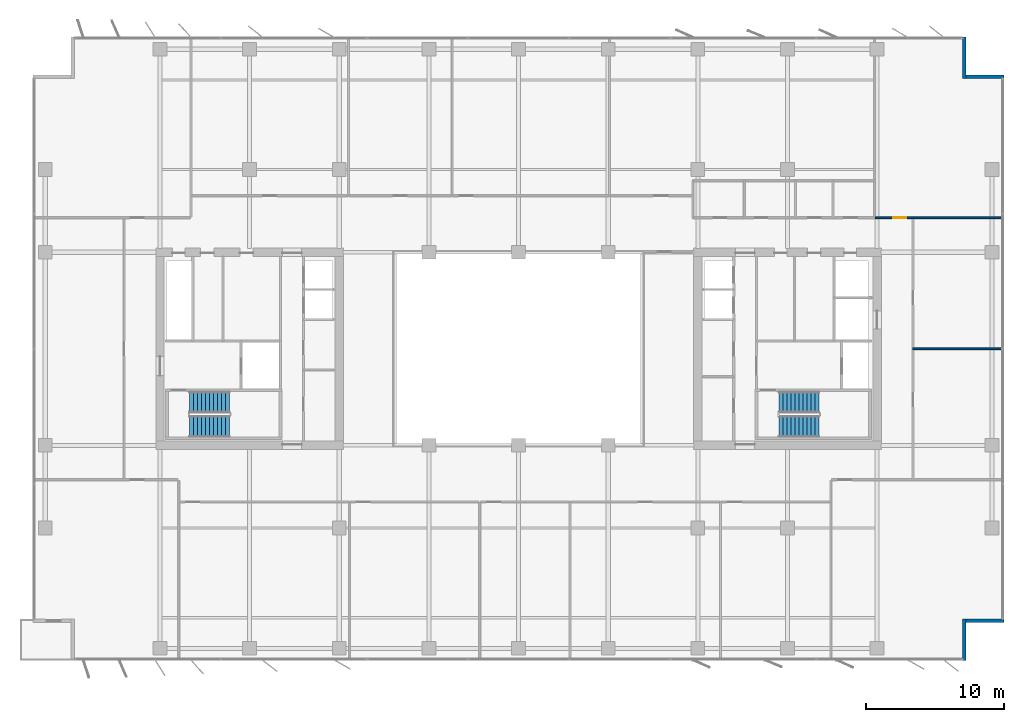
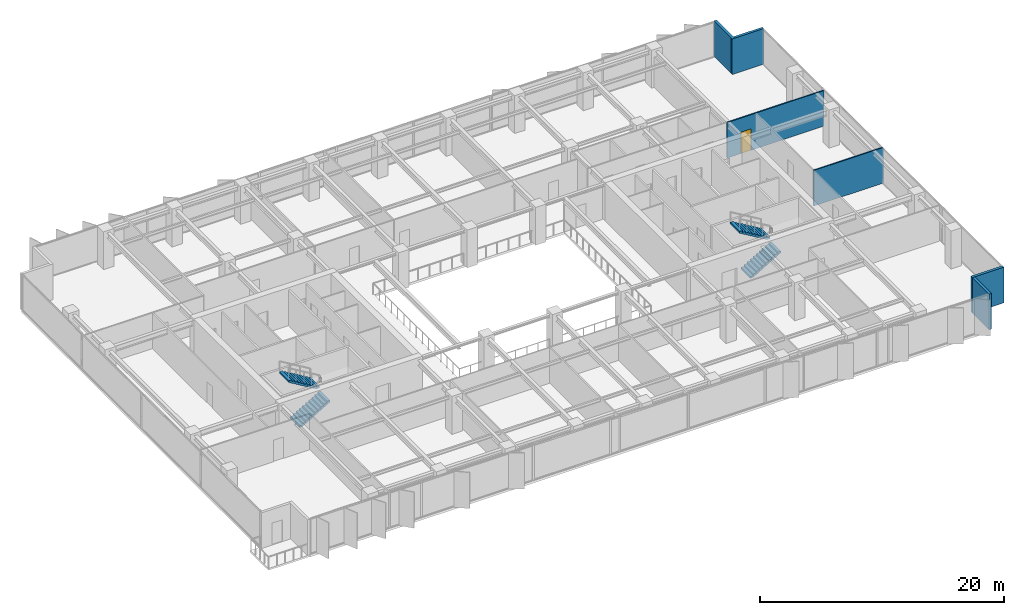
# One storey, part 18 of 22: 6 walls, 4 stair flights, 1 door, 1 opening, 2 elements without a shape of their own.
"""IFC4 building model written with IfcOpenShell, lengths in metres."""

from ifc_helpers import new_model, si_unit, direction, frame, frame_2d, origin, place, context, subcontext, project, spatial, polyline, rectangle, outline, extrude, material, layer, layer_set, type_object, element, fill, aggregate, save


model = new_model("IFC4")

# Units and contexts
model_context = context("Model", 3, precision=1e-05, world=origin(), true_north=direction((0.0, 1.0)))
body_context = subcontext(model_context, "Body", "Model", "MODEL_VIEW")
ifc_project = project(units=[si_unit("LENGTHUNIT", "METRE"), si_unit("AREAUNIT", "SQUARE_METRE"), si_unit("VOLUMEUNIT", "CUBIC_METRE"), si_unit("PLANEANGLEUNIT", "RADIAN"), si_unit("MASSUNIT", "GRAM", prefix="KILO")], contexts=[model_context])

# Site, building, storey
site_placement = place(None, origin())
site = spatial("IfcSite", under=ifc_project, at=site_placement, CompositionType="ELEMENT")
building_placement = place(site_placement, origin())
building = spatial("IfcBuilding", under=site, at=building_placement, Name="Putna Gate Headquarters", CompositionType="ELEMENT")
storey_placement = place(building_placement, frame((0.0, 0.0, 170.800048828125)))
storey = spatial("IfcBuildingStorey", under=building, at=storey_placement, Name="L42", CompositionType="ELEMENT", Elevation=170.800048828125)

# Walls
ifc_material_1 = material(Name="Precast concrete C40/50", Category="concrete")
ifc_layer_1 = layer(ifc_material_1, 0.239990234375)
ifc_layer_set_1 = layer_set([ifc_layer_1], Name="Precast concrete C40/50")
wall_type_1 = type_object("IfcWallType", Name="WALL-EXT-TERR-240", PredefinedType="STANDARD", material=ifc_layer_set_1)
for number, where, z_axis, x_axis, name in (
    (1, (71.320068359375, 48.60009765625, 0.0), (0.0, 0.0, 1.0), (0.0, -1.0, 0.0), "L42 Corner Notch Return Wall NE-V"),
    (2, (71.199951171875, 45.719970703125, 0.0), (0.0, 0.0, 1.0), (1.0, 0.0, 0.0), "L42 Corner Notch Return Wall NE-H"),
    (3, (71.320068359375, 6.39990234375, 0.0), (0.0, 0.0, 1.0), (0.0, -1.0, 0.0), "L42 Corner Notch Return Wall SE-V"),
    (4, (74.199951171875, 6.280029296875, 0.0), (0.0, 0.0, 1.0), (-1.0, 0.0, 0.0), "L42 Corner Notch Return Wall SE-H"),
):
    element("IfcWall", number, at=place(storey_placement, frame(where, z_axis=z_axis, x_axis=x_axis)), inside=storey, type_object=wall_type_1, Name=name, PredefinedType="STANDARD", context=body_context, shape_type="SweptSolid", body=[
        extrude(rectangle(XDim=3.0, YDim=0.239990234375, at=frame_2d((1.5, 0.0))), origin(), (0.0, 0.0, 1.0), 3.572021484375),
    ])
ifc_material_2 = material(Name="Acoustic gypsum board on metal stud")
ifc_layer_2 = layer(ifc_material_2, 0.1201171875)
ifc_layer_set_2 = layer_set([ifc_layer_2], Name="Acoustic gypsum board on metal stud")
wall_type_2 = type_object("IfcWallType", Name="WALL-PART-120", PredefinedType="PARTITIONING", material=ifc_layer_set_2)
wall_1_placement = place(storey_placement, frame((67.60009765625, 26.0, 0.0), z_axis=(0.0, 0.0, 1.0), x_axis=(1.0, 0.0, 0.0)))
element("IfcWall", 5, at=wall_1_placement, inside=storey, type_object=wall_type_2, Name="L42 Interior Wall PART-L42-EW-DIV-1", PredefinedType="PARTITIONING", context=body_context, shape_type="SweptSolid", body=[
    extrude(rectangle(XDim=6.579833984375, YDim=0.1201171875, at=frame_2d((3.2900390625, 0.0))), origin(), (0.0, 0.0, 1.0), 3.572021484375),
])

# Wall, opening, door
ifc_material_3 = material(Name="Fire-rated gypsum board on metal stud")
ifc_layer_3 = layer(ifc_material_3, 0.1201171875)
ifc_layer_set_3 = layer_set([ifc_layer_3], Name="Fire-rated gypsum board on metal stud")
wall_type_3 = type_object("IfcWallType", Name="WALL-PART-120-RATED", PredefinedType="PARTITIONING", material=ifc_layer_set_3)
wall_2_placement = place(storey_placement, frame((64.860107421875, 35.5, 0.0), z_axis=(0.0, 0.0, 1.0), x_axis=(1.0, 0.0, 0.0)))
wall_2 = element("IfcWall", 6, at=wall_2_placement, inside=storey, type_object=wall_type_3, Name="L42 Interior Wall PART-L42-NB-CW-06", PredefinedType="PARTITIONING", context=body_context, shape_type="SweptSolid", body=[
    extrude(rectangle(XDim=9.159912109375, YDim=0.1201171875, at=frame_2d((4.580078125, 0.0))), origin(), (0.0, 0.0, 1.0), 3.572021484375),
])
opening_placement = place(wall_2_placement, frame((1.31005859375, 0.0, 0.0)))
opening = element("IfcOpeningElement", 7, at=opening_placement, cuts=wall_2, Name="Opening FD-95", PredefinedType="OPENING", context=body_context, shape_type="SweptSolid", body=[
    extrude(rectangle(XDim=0.949951171875, YDim=2.14990234375, at=frame_2d((0.47509765625, 1.074951171875))), frame((0.0, 0.070068359375, 0.0), z_axis=(0.0, -1.0, 0.0), x_axis=(1.0, 0.0, 0.0)), (0.0, 0.0, 1.0), 0.14013671875),
])
ifc_material_4 = material(Name="Acoustic timber fire door", Category="wood")
door_type = type_object("IfcDoorType", Name="DOOR-FIRE-950", OperationType="NOTDEFINED", PredefinedType="DOOR", material=ifc_material_4)
door_placement = place(opening_placement, origin())
door = element("IfcDoor", 8, at=door_placement, inside=storey, type_object=door_type, Name="L42 Cellular Office 2 Door", OperationType="SINGLE_SWING_LEFT", OverallHeight=2.14990234375, OverallWidth=0.949951171875, PredefinedType="DOOR", context=body_context, shape_type="SweptSolid", body=[
    extrude(rectangle(XDim=0.949951171875, YDim=2.14990234375, at=frame_2d((0.47509765625, 1.074951171875))), frame((0.0, 0.02490234375, 0.0), z_axis=(0.0, -1.0, 0.0), x_axis=(1.0, 0.0, 0.0)), (0.0, 0.0, 1.0), 0.050048828125),
])
fill(opening, door)

# Stair, stair flights
ifc_material_5 = material(Name="Concrete C40/50", Category="concrete")
stair_type_1 = type_object("IfcStairType", Name="STAIR-ST1", PredefinedType="HALF_TURN_STAIR", material=ifc_material_5)
stair_1_placement = place(storey_placement, origin())
stair_1 = element("IfcStair", 9, at=stair_1_placement, inside=storey, type_object=stair_type_1, Name="L42 West Core Exit Stair ST1", PredefinedType="HALF_TURN_STAIR")
stair_flight_type_1 = type_object("IfcStairFlightType", Name="FLIGHT-ST1", PredefinedType="STRAIGHT", material=ifc_material_5)
stair_flight_1_placement = place(storey_placement, frame((15.14990234375, 20.375, 0.0), z_axis=(0.0, 0.0, 1.0), x_axis=(1.0, 0.0, 0.0)))
stair_flight_1 = element("IfcStairFlight", 10, at=stair_flight_1_placement, type_object=stair_flight_type_1, Name="ST1 flight 1", NumberOfRisers=11, NumberOfTreads=10, PredefinedType="STRAIGHT", RiserHeight=0.172727273, TreadLength=0.29, context=body_context, shape_type="SweptSolid", body=[
    extrude(outline(polyline([(0.0, 0.0), (0.0, 0.172607421875), (0.2900390625, 0.172607421875), (0.2900390625, 0.345458984375), (0.580078125, 0.345458984375), (0.580078125, 0.51806640625), (0.8701171875, 0.51806640625), (0.8701171875, 0.69091796875), (1.159912109375, 0.69091796875), (1.159912109375, 0.863525390625), (1.449951171875, 0.863525390625), (1.449951171875, 1.036376953125), (1.739990234375, 1.036376953125), (1.739990234375, 1.208984375), (2.030029296875, 1.208984375), (2.030029296875, 1.3818359375), (2.320068359375, 1.3818359375), (2.320068359375, 1.554443359375), (2.610107421875, 1.554443359375), (2.610107421875, 1.727294921875), (2.89990234375, 1.727294921875), (2.89990234375, 1.89990234375), (2.89990234375, 1.552734375), (0.29296875, 0.0), (0.0, 0.0)])), frame((0.0, 0.77490234375, 0.0), z_axis=(0.0, -1.0, 0.0), x_axis=(1.0, 0.0, 0.0)), (0.0, 0.0, 1.0), 1.550048828125),
])
stair_flight_2_placement = place(storey_placement, frame((18.050048828125, 22.125, 1.89990234375), z_axis=(0.0, 0.0, 1.0), x_axis=(-1.0, 0.0, 0.0)))
stair_flight_2 = element("IfcStairFlight", 11, at=stair_flight_2_placement, type_object=stair_flight_type_1, Name="ST1 flight 2", NumberOfRisers=11, NumberOfTreads=10, PredefinedType="STRAIGHT", RiserHeight=0.172727273, TreadLength=0.29, context=body_context, shape_type="SweptSolid", body=[
    extrude(outline(polyline([(0.0, 0.0), (0.0, 0.172607421875), (0.2900390625, 0.172607421875), (0.2900390625, 0.345458984375), (0.580078125, 0.345458984375), (0.580078125, 0.51806640625), (0.8701171875, 0.51806640625), (0.8701171875, 0.69091796875), (1.159912109375, 0.69091796875), (1.159912109375, 0.863525390625), (1.449951171875, 0.863525390625), (1.449951171875, 1.036376953125), (1.739990234375, 1.036376953125), (1.739990234375, 1.208984375), (2.030029296875, 1.208984375), (2.030029296875, 1.3818359375), (2.320068359375, 1.3818359375), (2.320068359375, 1.554443359375), (2.610107421875, 1.554443359375), (2.610107421875, 1.727294921875), (2.89990234375, 1.727294921875), (2.89990234375, 1.89990234375), (2.89990234375, 1.552734375), (0.29296875, 0.0), (0.0, 0.0)])), frame((0.0, 0.77490234375, 0.0), z_axis=(0.0, -1.0, 0.0), x_axis=(1.0, 0.0, 0.0)), (0.0, 0.0, 1.0), 1.550048828125),
])
aggregate(stair_1, [stair_flight_1, stair_flight_2])

stair_type_2 = type_object("IfcStairType", Name="STAIR-ST2", PredefinedType="HALF_TURN_STAIR", material=ifc_material_5)
stair_2_placement = place(storey_placement, origin())
stair_2 = element("IfcStair", 12, at=stair_2_placement, inside=storey, type_object=stair_type_2, Name="L42 East Core Exit Stair ST2", PredefinedType="HALF_TURN_STAIR")
stair_flight_type_2 = type_object("IfcStairFlightType", Name="FLIGHT-ST2", PredefinedType="STRAIGHT", material=ifc_material_5)
stair_flight_3_placement = place(storey_placement, frame((57.89990234375, 20.375, 0.0), z_axis=(0.0, 0.0, 1.0), x_axis=(1.0, 0.0, 0.0)))
stair_flight_3 = element("IfcStairFlight", 13, at=stair_flight_3_placement, type_object=stair_flight_type_2, Name="ST2 flight 1", NumberOfRisers=11, NumberOfTreads=10, PredefinedType="STRAIGHT", RiserHeight=0.172727273, TreadLength=0.29, context=body_context, shape_type="SweptSolid", body=[
    extrude(outline(polyline([(0.0, 0.0), (0.0, 0.172607421875), (0.2900390625, 0.172607421875), (0.2900390625, 0.345458984375), (0.580078125, 0.345458984375), (0.580078125, 0.51806640625), (0.8701171875, 0.51806640625), (0.8701171875, 0.69091796875), (1.159912109375, 0.69091796875), (1.159912109375, 0.863525390625), (1.449951171875, 0.863525390625), (1.449951171875, 1.036376953125), (1.739990234375, 1.036376953125), (1.739990234375, 1.208984375), (2.030029296875, 1.208984375), (2.030029296875, 1.3818359375), (2.320068359375, 1.3818359375), (2.320068359375, 1.554443359375), (2.610107421875, 1.554443359375), (2.610107421875, 1.727294921875), (2.89990234375, 1.727294921875), (2.89990234375, 1.89990234375), (2.89990234375, 1.552734375), (0.29296875, 0.0), (0.0, 0.0)])), frame((0.0, 0.77490234375, 0.0), z_axis=(0.0, -1.0, 0.0), x_axis=(1.0, 0.0, 0.0)), (0.0, 0.0, 1.0), 1.550048828125),
])
stair_flight_4_placement = place(storey_placement, frame((60.800048828125, 22.125, 1.89990234375), z_axis=(0.0, 0.0, 1.0), x_axis=(-1.0, 0.0, 0.0)))
stair_flight_4 = element("IfcStairFlight", 14, at=stair_flight_4_placement, type_object=stair_flight_type_2, Name="ST2 flight 2", NumberOfRisers=11, NumberOfTreads=10, PredefinedType="STRAIGHT", RiserHeight=0.172727273, TreadLength=0.29, context=body_context, shape_type="SweptSolid", body=[
    extrude(outline(polyline([(0.0, 0.0), (0.0, 0.172607421875), (0.2900390625, 0.172607421875), (0.2900390625, 0.345458984375), (0.580078125, 0.345458984375), (0.580078125, 0.51806640625), (0.8701171875, 0.51806640625), (0.8701171875, 0.69091796875), (1.159912109375, 0.69091796875), (1.159912109375, 0.863525390625), (1.449951171875, 0.863525390625), (1.449951171875, 1.036376953125), (1.739990234375, 1.036376953125), (1.739990234375, 1.208984375), (2.030029296875, 1.208984375), (2.030029296875, 1.3818359375), (2.320068359375, 1.3818359375), (2.320068359375, 1.554443359375), (2.610107421875, 1.554443359375), (2.610107421875, 1.727294921875), (2.89990234375, 1.727294921875), (2.89990234375, 1.89990234375), (2.89990234375, 1.552734375), (0.29296875, 0.0), (0.0, 0.0)])), frame((0.0, 0.77490234375, 0.0), z_axis=(0.0, -1.0, 0.0), x_axis=(1.0, 0.0, 0.0)), (0.0, 0.0, 1.0), 1.550048828125),
])
aggregate(stair_2, [stair_flight_3, stair_flight_4])

save(model, "model.ifc")
